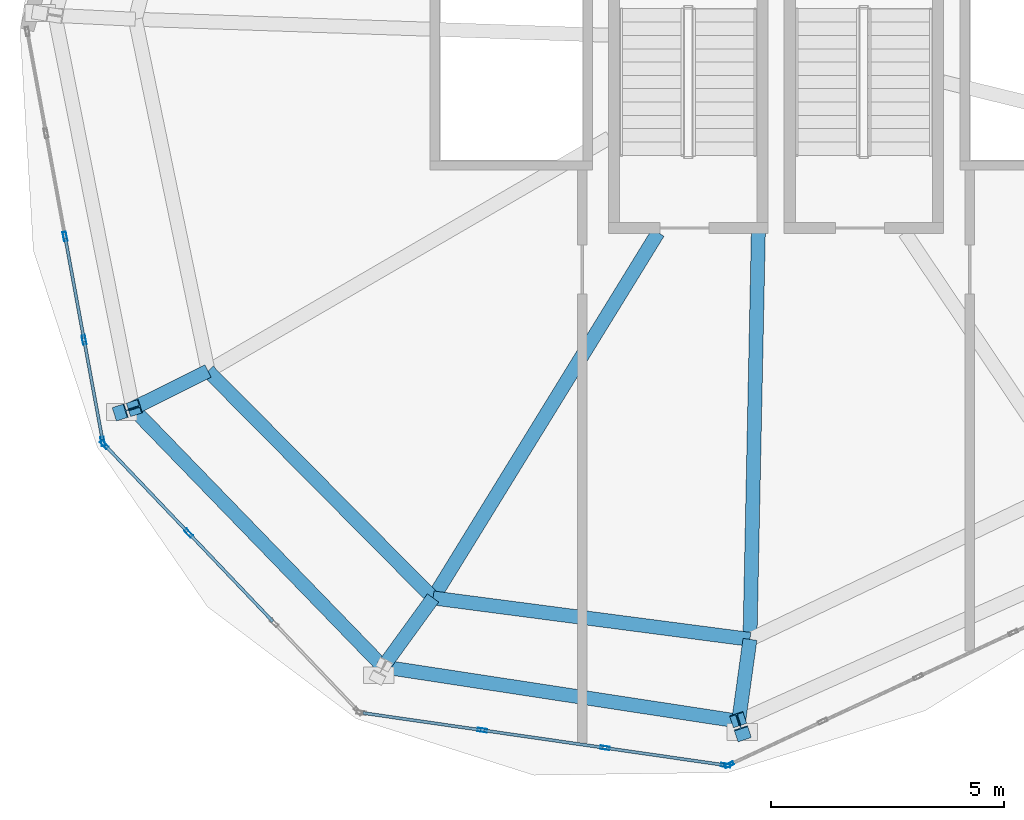
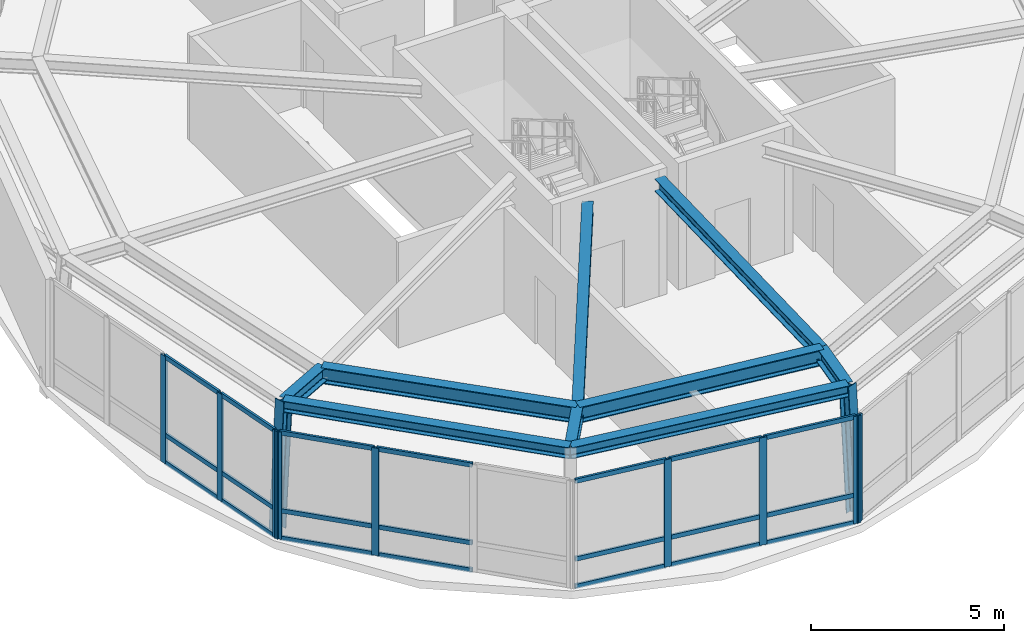
# One storey, part 2 of 14: 32 members, 9 beams, 4 elements without a shape of their own.
"""IFC4 building model written with IfcOpenShell, lengths in metres."""

from ifc_helpers import new_model, si_unit, direction, frame, origin, origin_2d, place, context, subcontext, project, spatial, hollow_rectangle, i_section, extrude, material, layer, layer_set, material_profile, profile_set, type_object, element, aggregate, save


model = new_model("IFC4")

# Units and contexts
model_context = context("Model", 3, precision=1e-05, world=origin(), true_north=direction((0.0, 1.0)))
body_context = subcontext(model_context, "Body", "Model", "MODEL_VIEW")
ifc_project = project(units=[si_unit("LENGTHUNIT", "METRE"), si_unit("AREAUNIT", "SQUARE_METRE"), si_unit("VOLUMEUNIT", "CUBIC_METRE"), si_unit("PLANEANGLEUNIT", "RADIAN"), si_unit("MASSUNIT", "GRAM", prefix="KILO"), si_unit("THERMODYNAMICTEMPERATUREUNIT", "KELVIN"), si_unit("POWERUNIT", "WATT")], contexts=[model_context])

# Site, building, storey
site_placement = place(None, origin())
site = spatial("IfcSite", under=ifc_project, at=site_placement, CompositionType="ELEMENT")
building_placement = place(site_placement, origin())
building = spatial("IfcBuilding", under=site, at=building_placement, Name="Ocrelia Relay Tower", CompositionType="ELEMENT")
storey_placement = place(building_placement, frame((0.0, 0.0, 288.0)))
storey = spatial("IfcBuildingStorey", under=building, at=storey_placement, Name="L72", CompositionType="ELEMENT", Elevation=288.0)

# Beams
ifc_material_1 = material(Name="Steel S355", Category="steel")
ifc_material_profile_1 = material_profile(ifc_material_1, i_section(OverallWidth=0.300048828125, OverallDepth=0.35009765625, WebThickness=0.010009765625, FlangeThickness=0.017578125, FilletRadius=0.027099609375, at=origin_2d()), Name="HEA 360")
ifc_profile_set_1 = profile_set([ifc_material_profile_1], Name="Steel S355")
beam_type_1 = type_object("IfcBeamType", Name="BM-HEA360", PredefinedType="SPANDREL", material=ifc_profile_set_1)
for number, where, z_axis, x_axis, name in (
    (1, (20.224365234375, 15.2265625, 3.574951171875), (0.695765580141, -0.718268931175, 0.0), (0.718268931175, 0.695765580141, 0.0), "L72 Crown Faceted Ring Beam R06"),
    (2, (25.583740234375, 9.69384765625, 3.574951171875), (0.988525084657, -0.151056800586, 0.0), (0.151056800586, 0.988525084657, 0.0), "L72 Crown Faceted Ring Beam R07"),
):
    element("IfcBeam", number, at=place(storey_placement, frame(where, z_axis=z_axis, x_axis=x_axis)), inside=storey, type_object=beam_type_1, Name=name, PredefinedType="SPANDREL", context=body_context, shape_type="SweptSolid", body=[
        extrude(i_section(OverallWidth=0.300048828125, OverallDepth=0.35009765625, WebThickness=0.010009765625, FlangeThickness=0.017578125, FilletRadius=0.027099609375, at=origin_2d()), origin(), (0.0, 0.0, 1.0), 7.702880859375),
    ])
ifc_material_profile_2 = material_profile(ifc_material_1, i_section(OverallWidth=0.300048828125, OverallDepth=0.389892578125, WebThickness=0.010986328125, FlangeThickness=0.01904296875, FilletRadius=0.027099609375, at=origin_2d()), Name="HEA 400")
ifc_profile_set_2 = profile_set([ifc_material_profile_2], Name="Steel S355")
beam_type_2 = type_object("IfcBeamType", Name="BM-HEA400", PredefinedType="SPANDREL", material=ifc_profile_set_2)
beam_1_placement = place(storey_placement, frame((26.654296875, 11.169677734375, 3.554931640625), z_axis=(0.524291587566, 0.851538801939, 0.0), x_axis=(-0.851538801939, 0.524291587566, 0.0)))
element("IfcBeam", 3, at=beam_1_placement, inside=storey, type_object=beam_type_2, Name="L72 Crown Radial Floor Beam 07", PredefinedType="SPANDREL", context=body_context, shape_type="SweptSolid", body=[
    extrude(i_section(OverallWidth=0.300048828125, OverallDepth=0.389892578125, WebThickness=0.010986328125, FlangeThickness=0.01904296875, FilletRadius=0.027099609375, at=origin_2d()), origin(), (0.0, 0.0, 1.0), 9.189697265625),
])
beam_2_placement = place(storey_placement, frame((33.440673828125, 10.282470703125, 3.554931640625), z_axis=(0.020591368337, 0.999787975298, 0.0), x_axis=(-0.999787975298, 0.020591368337, 0.0)))
element("IfcBeam", 4, at=beam_2_placement, inside=storey, type_object=beam_type_2, Name="L72 Crown Radial Floor Beam 08", PredefinedType="SPANDREL", context=body_context, shape_type="SweptSolid", body=[
    extrude(i_section(OverallWidth=0.300048828125, OverallDepth=0.389892578125, WebThickness=0.010986328125, FlangeThickness=0.01904296875, FilletRadius=0.027099609375, at=origin_2d()), origin(), (0.0, 0.0, 1.0), 8.714599609375),
])
ifc_material_profile_3 = material_profile(ifc_material_1, i_section(OverallWidth=0.300048828125, OverallDepth=0.449951171875, WebThickness=0.013916015625, FlangeThickness=0.02587890625, FilletRadius=0.027099609375, at=origin_2d()), Name="HEB 450")
ifc_profile_set_3 = profile_set([ifc_material_profile_3], Name="Steel S355")
beam_type_3 = type_object("IfcBeamType", Name="BM-HEB450", PredefinedType="BEAM", material=ifc_profile_set_3)
beam_3_placement = place(storey_placement, frame((20.224365234375, 15.2265625, 3.52490234375), z_axis=(0.894860510653, 0.446345904511, 0.0), x_axis=(-0.446345904511, 0.894860510653, 0.0)))
element("IfcBeam", 5, at=beam_3_placement, inside=storey, type_object=beam_type_3, Name="L72 Crown Step Radial Beam ST06", PredefinedType="BEAM", context=body_context, shape_type="SweptSolid", body=[
    extrude(i_section(OverallWidth=0.300048828125, OverallDepth=0.449951171875, WebThickness=0.013916015625, FlangeThickness=0.02587890625, FilletRadius=0.027099609375, at=origin_2d()), origin(), (0.0, 0.0, 1.0), 1.80126953125),
])
beam_4_placement = place(storey_placement, frame((25.583740234375, 9.69384765625, 3.52490234375), z_axis=(0.587176008063, 0.809459285916, 0.0), x_axis=(-0.809459285916, 0.587176008063, 0.0)))
element("IfcBeam", 6, at=beam_4_placement, inside=storey, type_object=beam_type_3, Name="L72 Crown Step Radial Beam ST07", PredefinedType="BEAM", context=body_context, shape_type="SweptSolid", body=[
    extrude(i_section(OverallWidth=0.300048828125, OverallDepth=0.449951171875, WebThickness=0.013916015625, FlangeThickness=0.02587890625, FilletRadius=0.027099609375, at=origin_2d()), origin(), (0.0, 0.0, 1.0), 1.8232421875),
])
beam_5_placement = place(storey_placement, frame((33.1982421875, 8.5302734375, 3.52490234375), z_axis=(0.137053053163, 0.990563708511, 0.0), x_axis=(-0.990563708511, 0.137053053163, 0.0)))
element("IfcBeam", 7, at=beam_5_placement, inside=storey, type_object=beam_type_3, Name="L72 Crown Step Radial Beam ST08", PredefinedType="BEAM", context=body_context, shape_type="SweptSolid", body=[
    extrude(i_section(OverallWidth=0.300048828125, OverallDepth=0.449951171875, WebThickness=0.013916015625, FlangeThickness=0.02587890625, FilletRadius=0.027099609375, at=origin_2d()), origin(), (0.0, 0.0, 1.0), 1.768798828125),
])
ifc_material_profile_4 = material_profile(ifc_material_1, i_section(OverallWidth=0.300048828125, OverallDepth=0.5, WebThickness=0.014404296875, FlangeThickness=0.028076171875, FilletRadius=0.027099609375, at=origin_2d()), Name="HEB 500")
ifc_profile_set_4 = profile_set([ifc_material_profile_4], Name="Steel S355")
beam_type_4 = type_object("IfcBeamType", Name="BM-HEB500", PredefinedType="BEAM", material=ifc_profile_set_4)
for number, where, z_axis, x_axis, name in (
    (8, (21.836181640625, 16.030517578125, 3.5), (0.703978629078, -0.710221155558, 0.0), (0.710221155558, 0.703978629078, 0.0), "L72 Crown Step Perimeter Ring Beam SR06"),
    (9, (26.654296875, 11.169677734375, 3.5), (0.991562376205, -0.129630452032, 0.0), (0.129630452032, 0.991562376205, 0.0), "L72 Crown Step Perimeter Ring Beam SR07"),
):
    element("IfcBeam", number, at=place(storey_placement, frame(where, z_axis=z_axis, x_axis=x_axis)), inside=storey, type_object=beam_type_4, Name=name, PredefinedType="BEAM", context=body_context, shape_type="SweptSolid", body=[
        extrude(i_section(OverallWidth=0.300048828125, OverallDepth=0.5, WebThickness=0.014404296875, FlangeThickness=0.028076171875, FilletRadius=0.027099609375, at=origin_2d()), origin(), (0.0, 0.0, 1.0), 6.84423828125),
    ])

# Curtain wall, members
ifc_material_2 = material(Name="Aluminium and solar-control low-E glass", Category="aluminium")
ifc_layer = layer(ifc_material_2, 0.179931640625, Name="Aluminium and solar-control low-E glass")
ifc_layer_set = layer_set([ifc_layer], Name="Aluminium and solar-control low-E glass")
curtain_wall_type = type_object("IfcCurtainWallType", Name="CW-SYS-CROWN-PT", PredefinedType="NOTDEFINED", material=ifc_layer_set)
curtain_wall_1_placement = place(storey_placement, origin())
curtain_wall_1 = element("IfcCurtainWall", 10, at=curtain_wall_1_placement, inside=storey, type_object=curtain_wall_type, Name="L72 Faceted Glass-Point Crown Curtain Wall 05", PredefinedType="NOTDEFINED")
ifc_material_3 = material(Name="Anodised bronze aluminium", Category="aluminium")
ifc_material_profile_5 = material_profile(ifc_material_3, hollow_rectangle(XDim=0.074951171875, YDim=0.199951171875, WallThickness=0.006103515625, at=origin_2d()), Name="CW-MUL-200x75")
ifc_profile_set_5 = profile_set([ifc_material_profile_5], Name="Anodised bronze aluminium")
member_type_1 = type_object("IfcMemberType", Name="CW-SYS-CROWN-PT-MUL", PredefinedType="MULLION", material=ifc_profile_set_5)
member_1_placement = place(storey_placement, frame((18.772705078125, 18.90966796875, 0.0), z_axis=(0.0, 0.0, 1.0), x_axis=(0.983470580695, 0.181067989736, 0.0)))
member_1 = element("IfcMember", 11, at=member_1_placement, type_object=member_type_1, Name="CW-CR mullion 3", PredefinedType="MULLION", context=body_context, shape_type="SweptSolid", body=[
    extrude(hollow_rectangle(XDim=0.074951171875, YDim=0.199951171875, WallThickness=0.006103515625, at=origin_2d()), origin(), (0.0, 0.0, 1.0), 3.389892578125),
])
member_2_placement = place(storey_placement, frame((19.18017578125, 16.696533203125, 0.0), z_axis=(0.0, 0.0, 1.0), x_axis=(0.983470580695, 0.181067989736, 0.0)))
member_2 = element("IfcMember", 12, at=member_2_placement, type_object=member_type_1, Name="CW-CR mullion 4", PredefinedType="MULLION", context=body_context, shape_type="SweptSolid", body=[
    extrude(hollow_rectangle(XDim=0.074951171875, YDim=0.199951171875, WallThickness=0.006103515625, at=origin_2d()), origin(), (0.0, 0.0, 1.0), 3.389892578125),
])
member_3_placement = place(storey_placement, frame((19.580810546875, 14.520263671875, 0.0), z_axis=(0.0, 0.0, 1.0), x_axis=(0.983470580695, 0.181067989736, 0.0)))
member_3 = element("IfcMember", 13, at=member_3_placement, type_object=member_type_1, Name="CW-CR mullion 5", PredefinedType="MULLION", context=body_context, shape_type="SweptSolid", body=[
    extrude(hollow_rectangle(XDim=0.074951171875, YDim=0.199951171875, WallThickness=0.006103515625, at=origin_2d()), origin(), (0.0, 0.0, 1.0), 3.389892578125),
])

curtain_wall_2_placement = place(storey_placement, origin())
curtain_wall_2 = element("IfcCurtainWall", 14, at=curtain_wall_2_placement, inside=storey, type_object=curtain_wall_type, Name="L72 Faceted Glass-Point Crown Curtain Wall 06", PredefinedType="NOTDEFINED")
member_4_placement = place(storey_placement, frame((19.613525390625, 14.4560546875, 0.0), z_axis=(0.0, 0.0, 1.0), x_axis=(0.724174661625, 0.689616603237, 0.0)))
member_4 = element("IfcMember", 15, at=member_4_placement, type_object=member_type_1, Name="CW-CR mullion 1", PredefinedType="MULLION", context=body_context, shape_type="SweptSolid", body=[
    extrude(hollow_rectangle(XDim=0.074951171875, YDim=0.199951171875, WallThickness=0.006103515625, at=origin_2d()), origin(), (0.0, 0.0, 1.0), 3.389892578125),
])
member_5_placement = place(storey_placement, frame((21.418212890625, 12.56103515625, 0.0), z_axis=(0.0, 0.0, 1.0), x_axis=(0.724174661625, 0.689616603237, 0.0)))
member_5 = element("IfcMember", 16, at=member_5_placement, type_object=member_type_1, Name="CW-CR mullion 2", PredefinedType="MULLION", context=body_context, shape_type="SweptSolid", body=[
    extrude(hollow_rectangle(XDim=0.074951171875, YDim=0.199951171875, WallThickness=0.006103515625, at=origin_2d()), origin(), (0.0, 0.0, 1.0), 3.389892578125),
])

curtain_wall_3_placement = place(storey_placement, origin())
curtain_wall_3 = element("IfcCurtainWall", 17, at=curtain_wall_3_placement, inside=storey, type_object=curtain_wall_type, Name="L72 Faceted Glass-Point Crown Curtain Wall 07", PredefinedType="NOTDEFINED")
member_6_placement = place(storey_placement, frame((27.70654296875, 8.337890625, 0.0), z_axis=(0.0, 0.0, 1.0), x_axis=(0.142627266665, 0.989776471131, 0.0)))
member_6 = element("IfcMember", 18, at=member_6_placement, type_object=member_type_1, Name="CW-CR mullion 2", PredefinedType="MULLION", context=body_context, shape_type="SweptSolid", body=[
    extrude(hollow_rectangle(XDim=0.074951171875, YDim=0.199951171875, WallThickness=0.006103515625, at=origin_2d()), origin(), (0.0, 0.0, 1.0), 3.389892578125),
])
member_7_placement = place(storey_placement, frame((30.333984375, 7.959228515625, 0.0), z_axis=(0.0, 0.0, 1.0), x_axis=(0.142627266665, 0.989776471131, 0.0)))
member_7 = element("IfcMember", 19, at=member_7_placement, type_object=member_type_1, Name="CW-CR mullion 3", PredefinedType="MULLION", context=body_context, shape_type="SweptSolid", body=[
    extrude(hollow_rectangle(XDim=0.074951171875, YDim=0.199951171875, WallThickness=0.006103515625, at=origin_2d()), origin(), (0.0, 0.0, 1.0), 3.389892578125),
])
member_8_placement = place(storey_placement, frame((32.924072265625, 7.5859375, 0.0), z_axis=(0.0, 0.0, 1.0), x_axis=(0.142627266665, 0.989776471131, 0.0)))
member_8 = element("IfcMember", 20, at=member_8_placement, type_object=member_type_1, Name="CW-CR mullion 4", PredefinedType="MULLION", context=body_context, shape_type="SweptSolid", body=[
    extrude(hollow_rectangle(XDim=0.074951171875, YDim=0.199951171875, WallThickness=0.006103515625, at=origin_2d()), origin(), (0.0, 0.0, 1.0), 3.389892578125),
])

# Curtain wall, member
curtain_wall_4_placement = place(storey_placement, origin())
curtain_wall_4 = element("IfcCurtainWall", 21, at=curtain_wall_4_placement, inside=storey, type_object=curtain_wall_type, Name="L72 Faceted Glass-Point Crown Curtain Wall 08", PredefinedType="NOTDEFINED")
member_9_placement = place(storey_placement, frame((32.995361328125, 7.596435546875, 0.0), z_axis=(0.0, 0.0, 1.0), x_axis=(-0.422115373786, 0.906542117727, 0.0)))
member_9 = element("IfcMember", 22, at=member_9_placement, type_object=member_type_1, Name="CW-CR mullion 1", PredefinedType="MULLION", context=body_context, shape_type="SweptSolid", body=[
    extrude(hollow_rectangle(XDim=0.074951171875, YDim=0.199951171875, WallThickness=0.006103515625, at=origin_2d()), origin(), (0.0, 0.0, 1.0), 3.389892578125),
])
aggregate(curtain_wall_4, [member_9])

# Member
ifc_material_profile_6 = material_profile(ifc_material_3, hollow_rectangle(XDim=0.06494140625, YDim=0.139892578125, WallThickness=0.0048828125, at=origin_2d()), Name="CW-TRN-140x65")
ifc_profile_set_6 = profile_set([ifc_material_profile_6], Name="Anodised bronze aluminium")
member_type_2 = type_object("IfcMemberType", Name="CW-SYS-CROWN-PT-TRN", PredefinedType="USERDEFINED", material=ifc_profile_set_6)
member_10_placement = place(storey_placement, frame((18.779541015625, 18.872802734375, 0.032470703125), z_axis=(0.181028171869, -0.983477910779, 0.0), x_axis=(0.983477910779, 0.181028171869, 0.0)))
member_10 = element("IfcMember", 23, at=member_10_placement, type_object=member_type_2, Name="CW-CR transom 3.1", ObjectType="TRANSOM", PredefinedType="USERDEFINED", context=body_context, shape_type="SweptSolid", body=[
    extrude(hollow_rectangle(XDim=0.06494140625, YDim=0.139892578125, WallThickness=0.0048828125, at=origin_2d()), origin(), (0.0, 0.0, 1.0), 2.17529296875),
])

member_11_placement = place(storey_placement, frame((18.779541015625, 18.872802734375, 0.89990234375), z_axis=(0.181028171869, -0.983477910779, 0.0), x_axis=(0.983477910779, 0.181028171869, 0.0)))
member_11 = element("IfcMember", 24, at=member_11_placement, type_object=member_type_2, Name="CW-CR transom 3.2", ObjectType="TRANSOM", PredefinedType="USERDEFINED", context=body_context, shape_type="SweptSolid", body=[
    extrude(hollow_rectangle(XDim=0.06494140625, YDim=0.139892578125, WallThickness=0.0048828125, at=origin_2d()), origin(), (0.0, 0.0, 1.0), 2.17529296875),
])

member_12_placement = place(storey_placement, frame((18.779541015625, 18.872802734375, 3.357421875), z_axis=(0.181028171869, -0.983477910779, 0.0), x_axis=(0.983477910779, 0.181028171869, 0.0)))
member_12 = element("IfcMember", 25, at=member_12_placement, type_object=member_type_2, Name="CW-CR transom 3.3", ObjectType="TRANSOM", PredefinedType="USERDEFINED", context=body_context, shape_type="SweptSolid", body=[
    extrude(hollow_rectangle(XDim=0.06494140625, YDim=0.139892578125, WallThickness=0.0048828125, at=origin_2d()), origin(), (0.0, 0.0, 1.0), 2.17529296875),
])

member_13_placement = place(storey_placement, frame((19.18701171875, 16.65966796875, 0.032470703125), z_axis=(0.181005470425, -0.983482089149, 0.0), x_axis=(0.983482089149, 0.181005470425, 0.0)))
member_13 = element("IfcMember", 26, at=member_13_placement, type_object=member_type_2, Name="CW-CR transom 4.1", ObjectType="TRANSOM", PredefinedType="USERDEFINED", context=body_context, shape_type="SweptSolid", body=[
    extrude(hollow_rectangle(XDim=0.06494140625, YDim=0.139892578125, WallThickness=0.0048828125, at=origin_2d()), origin(), (0.0, 0.0, 1.0), 2.137939453125),
])

member_14_placement = place(storey_placement, frame((19.18701171875, 16.65966796875, 0.89990234375), z_axis=(0.181005470425, -0.983482089149, 0.0), x_axis=(0.983482089149, 0.181005470425, 0.0)))
member_14 = element("IfcMember", 27, at=member_14_placement, type_object=member_type_2, Name="CW-CR transom 4.2", ObjectType="TRANSOM", PredefinedType="USERDEFINED", context=body_context, shape_type="SweptSolid", body=[
    extrude(hollow_rectangle(XDim=0.06494140625, YDim=0.139892578125, WallThickness=0.0048828125, at=origin_2d()), origin(), (0.0, 0.0, 1.0), 2.137939453125),
])

member_15_placement = place(storey_placement, frame((19.18701171875, 16.65966796875, 3.357421875), z_axis=(0.181005470425, -0.983482089149, 0.0), x_axis=(0.983482089149, 0.181005470425, 0.0)))
member_15 = element("IfcMember", 28, at=member_15_placement, type_object=member_type_2, Name="CW-CR transom 4.3", ObjectType="TRANSOM", PredefinedType="USERDEFINED", context=body_context, shape_type="SweptSolid", body=[
    extrude(hollow_rectangle(XDim=0.06494140625, YDim=0.139892578125, WallThickness=0.0048828125, at=origin_2d()), origin(), (0.0, 0.0, 1.0), 2.137939453125),
])

aggregate(curtain_wall_1, [member_1, member_2, member_3, member_10, member_11, member_12, member_13, member_14, member_15])

member_16_placement = place(storey_placement, frame((19.639404296875, 14.428955078125, 0.032470703125), z_axis=(0.689607205217, -0.72418361105, 0.0), x_axis=(0.72418361105, 0.689607205217, 0.0)))
member_16 = element("IfcMember", 29, at=member_16_placement, type_object=member_type_2, Name="CW-CR transom 1.1", ObjectType="TRANSOM", PredefinedType="USERDEFINED", context=body_context, shape_type="SweptSolid", body=[
    extrude(hollow_rectangle(XDim=0.06494140625, YDim=0.139892578125, WallThickness=0.0048828125, at=origin_2d()), origin(), (0.0, 0.0, 1.0), 2.5419921875),
])

member_17_placement = place(storey_placement, frame((19.639404296875, 14.428955078125, 0.89990234375), z_axis=(0.689607205217, -0.72418361105, 0.0), x_axis=(0.72418361105, 0.689607205217, 0.0)))
member_17 = element("IfcMember", 30, at=member_17_placement, type_object=member_type_2, Name="CW-CR transom 1.2", ObjectType="TRANSOM", PredefinedType="USERDEFINED", context=body_context, shape_type="SweptSolid", body=[
    extrude(hollow_rectangle(XDim=0.06494140625, YDim=0.139892578125, WallThickness=0.0048828125, at=origin_2d()), origin(), (0.0, 0.0, 1.0), 2.5419921875),
])

member_18_placement = place(storey_placement, frame((19.639404296875, 14.428955078125, 3.357421875), z_axis=(0.689607205217, -0.72418361105, 0.0), x_axis=(0.72418361105, 0.689607205217, 0.0)))
member_18 = element("IfcMember", 31, at=member_18_placement, type_object=member_type_2, Name="CW-CR transom 1.3", ObjectType="TRANSOM", PredefinedType="USERDEFINED", context=body_context, shape_type="SweptSolid", body=[
    extrude(hollow_rectangle(XDim=0.06494140625, YDim=0.139892578125, WallThickness=0.0048828125, at=origin_2d()), origin(), (0.0, 0.0, 1.0), 2.5419921875),
])

member_19_placement = place(storey_placement, frame((21.444091796875, 12.533935546875, 0.032470703125), z_axis=(0.689574816584, -0.724214451894, 0.0), x_axis=(0.724214451894, 0.689574816584, 0.0)))
member_19 = element("IfcMember", 32, at=member_19_placement, type_object=member_type_2, Name="CW-CR transom 2.1", ObjectType="TRANSOM", PredefinedType="USERDEFINED", context=body_context, shape_type="SweptSolid", body=[
    extrude(hollow_rectangle(XDim=0.06494140625, YDim=0.139892578125, WallThickness=0.0048828125, at=origin_2d()), origin(), (0.0, 0.0, 1.0), 2.57958984375),
])

member_20_placement = place(storey_placement, frame((21.444091796875, 12.533935546875, 0.89990234375), z_axis=(0.689574816584, -0.724214451894, 0.0), x_axis=(0.724214451894, 0.689574816584, 0.0)))
member_20 = element("IfcMember", 33, at=member_20_placement, type_object=member_type_2, Name="CW-CR transom 2.2", ObjectType="TRANSOM", PredefinedType="USERDEFINED", context=body_context, shape_type="SweptSolid", body=[
    extrude(hollow_rectangle(XDim=0.06494140625, YDim=0.139892578125, WallThickness=0.0048828125, at=origin_2d()), origin(), (0.0, 0.0, 1.0), 2.57958984375),
])

member_21_placement = place(storey_placement, frame((21.444091796875, 12.533935546875, 3.357421875), z_axis=(0.689574816584, -0.724214451894, 0.0), x_axis=(0.724214451894, 0.689574816584, 0.0)))
member_21 = element("IfcMember", 34, at=member_21_placement, type_object=member_type_2, Name="CW-CR transom 2.3", ObjectType="TRANSOM", PredefinedType="USERDEFINED", context=body_context, shape_type="SweptSolid", body=[
    extrude(hollow_rectangle(XDim=0.06494140625, YDim=0.139892578125, WallThickness=0.0048828125, at=origin_2d()), origin(), (0.0, 0.0, 1.0), 2.57958984375),
])

aggregate(curtain_wall_2, [member_4, member_5, member_16, member_17, member_18, member_19, member_20, member_21])

member_22_placement = place(storey_placement, frame((25.153564453125, 8.705810546875, 0.032470703125), z_axis=(0.989775867312, -0.142631456862, 0.0), x_axis=(0.142631456862, 0.989775867312, 0.0)))
member_22 = element("IfcMember", 35, at=member_22_placement, type_object=member_type_2, Name="CW-CR transom 1.1", ObjectType="TRANSOM", PredefinedType="USERDEFINED", context=body_context, shape_type="SweptSolid", body=[
    extrude(hollow_rectangle(XDim=0.06494140625, YDim=0.139892578125, WallThickness=0.0048828125, at=origin_2d()), origin(), (0.0, 0.0, 1.0), 2.541748046875),
])

member_23_placement = place(storey_placement, frame((25.153564453125, 8.705810546875, 0.89990234375), z_axis=(0.989775867312, -0.142631456862, 0.0), x_axis=(0.142631456862, 0.989775867312, 0.0)))
member_23 = element("IfcMember", 36, at=member_23_placement, type_object=member_type_2, Name="CW-CR transom 1.2", ObjectType="TRANSOM", PredefinedType="USERDEFINED", context=body_context, shape_type="SweptSolid", body=[
    extrude(hollow_rectangle(XDim=0.06494140625, YDim=0.139892578125, WallThickness=0.0048828125, at=origin_2d()), origin(), (0.0, 0.0, 1.0), 2.541748046875),
])

member_24_placement = place(storey_placement, frame((25.153564453125, 8.705810546875, 3.357421875), z_axis=(0.989775867312, -0.142631456862, 0.0), x_axis=(0.142631456862, 0.989775867312, 0.0)))
member_24 = element("IfcMember", 37, at=member_24_placement, type_object=member_type_2, Name="CW-CR transom 1.3", ObjectType="TRANSOM", PredefinedType="USERDEFINED", context=body_context, shape_type="SweptSolid", body=[
    extrude(hollow_rectangle(XDim=0.06494140625, YDim=0.139892578125, WallThickness=0.0048828125, at=origin_2d()), origin(), (0.0, 0.0, 1.0), 2.541748046875),
])

member_25_placement = place(storey_placement, frame((27.74365234375, 8.33251953125, 0.032470703125), z_axis=(0.989776509099, -0.142627003176, 0.0), x_axis=(0.142627003176, 0.989776509099, 0.0)))
member_25 = element("IfcMember", 38, at=member_25_placement, type_object=member_type_2, Name="CW-CR transom 2.1", ObjectType="TRANSOM", PredefinedType="USERDEFINED", context=body_context, shape_type="SweptSolid", body=[
    extrude(hollow_rectangle(XDim=0.06494140625, YDim=0.139892578125, WallThickness=0.0048828125, at=origin_2d()), origin(), (0.0, 0.0, 1.0), 2.57958984375),
])

member_26_placement = place(storey_placement, frame((27.74365234375, 8.33251953125, 0.89990234375), z_axis=(0.989776509099, -0.142627003176, 0.0), x_axis=(0.142627003176, 0.989776509099, 0.0)))
member_26 = element("IfcMember", 39, at=member_26_placement, type_object=member_type_2, Name="CW-CR transom 2.2", ObjectType="TRANSOM", PredefinedType="USERDEFINED", context=body_context, shape_type="SweptSolid", body=[
    extrude(hollow_rectangle(XDim=0.06494140625, YDim=0.139892578125, WallThickness=0.0048828125, at=origin_2d()), origin(), (0.0, 0.0, 1.0), 2.57958984375),
])

member_27_placement = place(storey_placement, frame((27.74365234375, 8.33251953125, 3.357421875), z_axis=(0.989776509099, -0.142627003176, 0.0), x_axis=(0.142627003176, 0.989776509099, 0.0)))
member_27 = element("IfcMember", 40, at=member_27_placement, type_object=member_type_2, Name="CW-CR transom 2.3", ObjectType="TRANSOM", PredefinedType="USERDEFINED", context=body_context, shape_type="SweptSolid", body=[
    extrude(hollow_rectangle(XDim=0.06494140625, YDim=0.139892578125, WallThickness=0.0048828125, at=origin_2d()), origin(), (0.0, 0.0, 1.0), 2.57958984375),
])

member_28_placement = place(storey_placement, frame((30.37109375, 7.953857421875, 0.032470703125), z_axis=(0.989775867312, -0.142631456862, 0.0), x_axis=(0.142631456862, 0.989775867312, 0.0)))
member_28 = element("IfcMember", 41, at=member_28_placement, type_object=member_type_2, Name="CW-CR transom 3.1", ObjectType="TRANSOM", PredefinedType="USERDEFINED", context=body_context, shape_type="SweptSolid", body=[
    extrude(hollow_rectangle(XDim=0.06494140625, YDim=0.139892578125, WallThickness=0.0048828125, at=origin_2d()), origin(), (0.0, 0.0, 1.0), 2.541748046875),
])

member_29_placement = place(storey_placement, frame((30.37109375, 7.953857421875, 0.89990234375), z_axis=(0.989775867312, -0.142631456862, 0.0), x_axis=(0.142631456862, 0.989775867312, 0.0)))
member_29 = element("IfcMember", 42, at=member_29_placement, type_object=member_type_2, Name="CW-CR transom 3.2", ObjectType="TRANSOM", PredefinedType="USERDEFINED", context=body_context, shape_type="SweptSolid", body=[
    extrude(hollow_rectangle(XDim=0.06494140625, YDim=0.139892578125, WallThickness=0.0048828125, at=origin_2d()), origin(), (0.0, 0.0, 1.0), 2.541748046875),
])

member_30_placement = place(storey_placement, frame((30.37109375, 7.953857421875, 3.357421875), z_axis=(0.989775867312, -0.142631456862, 0.0), x_axis=(0.142631456862, 0.989775867312, 0.0)))
member_30 = element("IfcMember", 43, at=member_30_placement, type_object=member_type_2, Name="CW-CR transom 3.3", ObjectType="TRANSOM", PredefinedType="USERDEFINED", context=body_context, shape_type="SweptSolid", body=[
    extrude(hollow_rectangle(XDim=0.06494140625, YDim=0.139892578125, WallThickness=0.0048828125, at=origin_2d()), origin(), (0.0, 0.0, 1.0), 2.541748046875),
])

aggregate(curtain_wall_3, [member_6, member_7, member_8, member_22, member_23, member_24, member_25, member_26, member_27, member_28, member_29, member_30])

# Members
ifc_material_profile_7 = material_profile(ifc_material_1, i_section(OverallWidth=0.300048828125, OverallDepth=0.340087890625, WebThickness=0.011962890625, FlangeThickness=0.021484375, FilletRadius=0.027099609375, at=origin_2d()), Name="HEB 340")
ifc_profile_set_7 = profile_set([ifc_material_profile_7], Name="Steel S355")
member_type_3 = type_object("IfcMemberType", Name="MB-CROWN-RIB", PredefinedType="STRUT", material=ifc_profile_set_7)
for number, where, z_axis, x_axis, name in (
    (44, (19.989501953125, 15.153076171875, -0.25), (0.058605013245, 0.018336911629, 0.998112824331), (-0.298613903106, 0.954374002617, 0.0), "L72 Crown Faceted Structural Strut Rib CR06"),
    (45, (33.2744140625, 8.296142578125, -0.25), (-0.019006996758, 0.058422147087, 0.998111009259), (-0.950939292859, -0.309377538448, 0.0), "L72 Crown Faceted Structural Strut Rib CR08"),
):
    element("IfcMember", number, at=place(storey_placement, frame(where, z_axis=z_axis, x_axis=x_axis)), inside=storey, type_object=member_type_3, Name=name, PredefinedType="STRUT", context=body_context, shape_type="SweptSolid", body=[
        extrude(i_section(OverallWidth=0.300048828125, OverallDepth=0.340087890625, WebThickness=0.011962890625, FlangeThickness=0.021484375, FilletRadius=0.027099609375, at=origin_2d()), origin(), (0.0, 0.0, 1.0), 4.007568359375),
    ])

save(model, "model.ifc")
